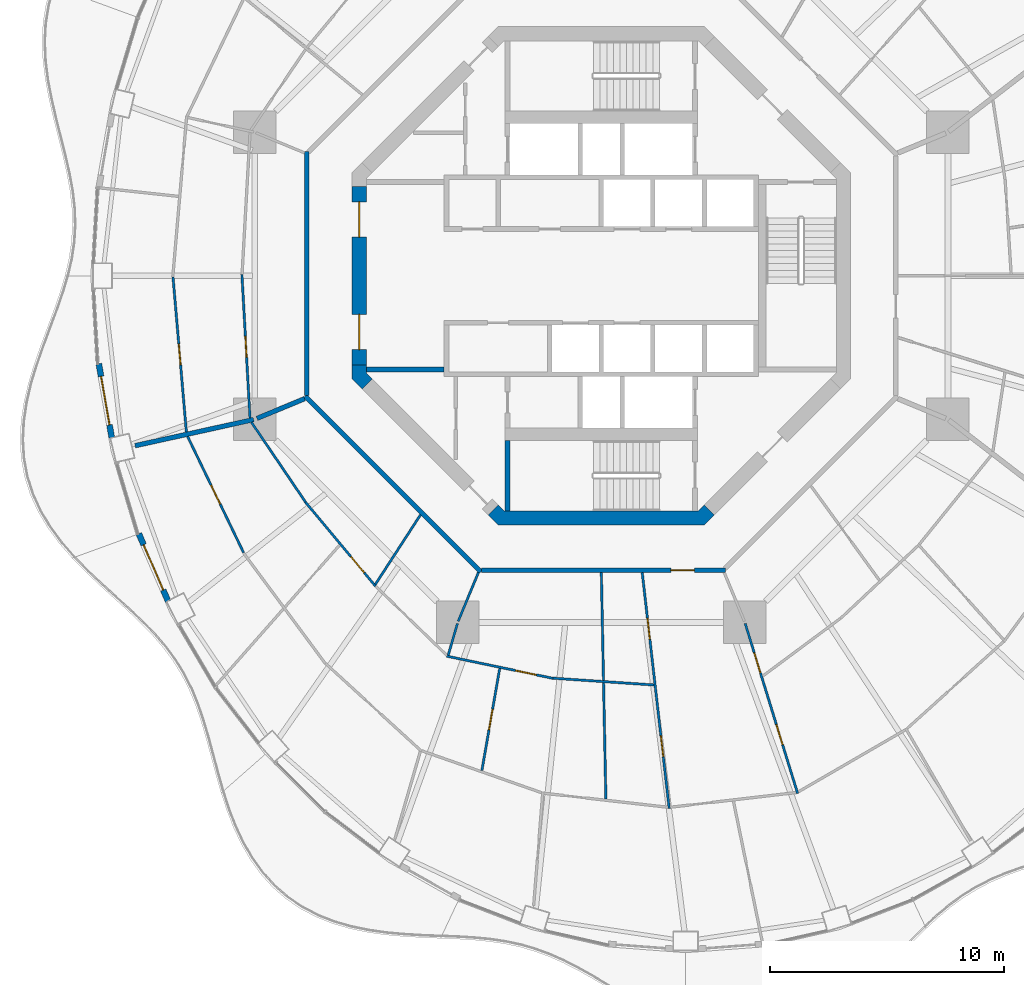
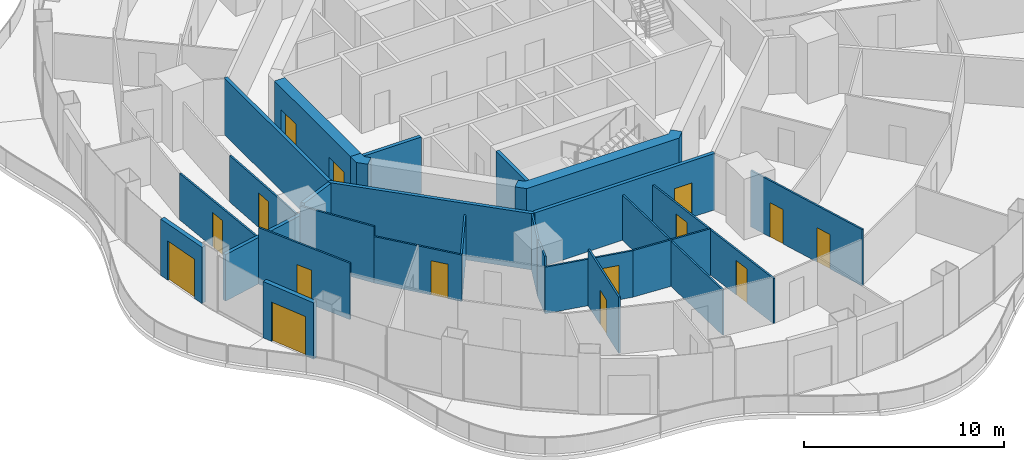
# One storey, part 11 of 19: 26 walls, 15 doors, 15 openings.
"""IFC4 building model written with IfcOpenShell, lengths in metres."""

from ifc_helpers import new_model, si_unit, direction, frame, frame_2d, origin, place, context, subcontext, project, spatial, polyline, rectangle, outline, extrude, material, layer, layer_set, type_object, element, fill, save


model = new_model("IFC4")

# Units and contexts
model_context = context("Model", 3, precision=1e-05, world=origin(), true_north=direction((0.0, 1.0)))
body_context = subcontext(model_context, "Body", "Model", "MODEL_VIEW")
ifc_project = project(units=[si_unit("LENGTHUNIT", "METRE"), si_unit("AREAUNIT", "SQUARE_METRE"), si_unit("VOLUMEUNIT", "CUBIC_METRE"), si_unit("PLANEANGLEUNIT", "RADIAN"), si_unit("MASSUNIT", "GRAM", prefix="KILO")], contexts=[model_context])

# Site, building, storey
site_placement = place(None, origin())
site = spatial("IfcSite", under=ifc_project, at=site_placement, CompositionType="ELEMENT")
building_placement = place(site_placement, origin())
building = spatial("IfcBuilding", under=site, at=building_placement, Name="Nagisa Residences", CompositionType="ELEMENT")
storey_placement = place(building_placement, frame((0.0, 0.0, 180.699951171875)))
storey = spatial("IfcBuildingStorey", under=building, at=storey_placement, Name="L45", CompositionType="ELEMENT", Elevation=180.699951171875)

# Walls
ifc_material_1 = material(Name="Gypsum board on steel studs", Category="steel")
ifc_layer_1 = layer(ifc_material_1, 0.199951171875)
ifc_layer_set_1 = layer_set([ifc_layer_1], Name="Apartment compartment wall EI60 200")
wall_type_1 = type_object("IfcWallType", Name="Apartment compartment wall EI60 200", PredefinedType="PARTITIONING", material=ifc_layer_set_1)
wall_1_placement = place(storey_placement, frame((-12.6572265625, -5.24267578125, 0.0), z_axis=(0.0, 0.0, 1.0), x_axis=(-0.923859888513, -0.38273085373, 0.0)))
element("IfcWall", 1, at=wall_1_placement, inside=storey, type_object=wall_type_1, Name="wall:L45:u04", PredefinedType="PARTITIONING", context=body_context, shape_type="SweptSolid", body=[
    extrude(rectangle(XDim=2.199462890625, YDim=0.199951171875, at=frame_2d((1.099609375, 0.0))), origin(), (0.0, 0.0, 1.0), 3.43994140625),
])
wall_2_placement = place(storey_placement, frame((-14.830810546875, -6.133544921875, 0.0), z_axis=(0.0, 0.0, 1.0), x_axis=(-0.976568396888, -0.215207263354, 0.0)))
element("IfcWall", 2, at=wall_2_placement, inside=storey, type_object=wall_type_1, Name="wall:L45:u05", PredefinedType="PARTITIONING", context=body_context, shape_type="SweptSolid", body=[
    extrude(rectangle(XDim=5.176513671875, YDim=0.199951171875, at=frame_2d((2.58837890625, 0.0))), origin(), (0.0, 0.0, 1.0), 2.837158203125),
])
ifc_material_2 = material(Name="Gypsum board on steel studs", Category="steel")
ifc_layer_2 = layer(ifc_material_2, 0.199951171875)
ifc_layer_set_2 = layer_set([ifc_layer_2], Name="Apartment entry wall EI60 200")
wall_type_2 = type_object("IfcWallType", Name="Apartment entry wall EI60 200", PredefinedType="PARTITIONING", material=ifc_layer_set_2)
wall_3_placement = place(storey_placement, frame((-12.564697265625, 5.304443359375, 0.0), z_axis=(0.0, 0.0, 1.0), x_axis=(0.0, -1.0, 0.0)))
element("IfcWall", 3, at=wall_3_placement, inside=storey, type_object=wall_type_2, Name="wall:L45:u12", PredefinedType="PARTITIONING", context=body_context, shape_type="SweptSolid", body=[
    extrude(rectangle(XDim=10.408935546875, YDim=0.199951171875, at=frame_2d((5.20458984375, 0.0))), origin(), (0.0, 0.0, 1.0), 3.43994140625),
])
wall_4_placement = place(storey_placement, frame((-12.635498046875, -5.1337890625, 0.0), z_axis=(0.0, 0.0, 1.0), x_axis=(0.707106781187, -0.707106781187, 0.0)))
element("IfcWall", 4, at=wall_4_placement, inside=storey, type_object=wall_type_2, Name="wall:L45:u13", PredefinedType="PARTITIONING", context=body_context, shape_type="SweptSolid", body=[
    extrude(rectangle(XDim=10.609130859375, YDim=0.199951171875, at=frame_2d((5.3046875, 0.0))), origin(), (0.0, 0.0, 1.0), 3.43994140625),
])

# Wall, opening, door
wall_5_placement = place(storey_placement, frame((-5.1044921875, -12.564697265625, 0.0), z_axis=(0.0, 0.0, 1.0), x_axis=(1.0, 0.0, 0.0)))
wall_5 = element("IfcWall", 5, at=wall_5_placement, inside=storey, type_object=wall_type_2, Name="wall:L45:u14", PredefinedType="PARTITIONING", context=body_context, shape_type="SweptSolid", body=[
    extrude(rectangle(XDim=10.408935546875, YDim=0.199951171875, at=frame_2d((5.20458984375, 0.0))), origin(), (0.0, 0.0, 1.0), 3.43994140625),
])
opening_1_placement = place(wall_5_placement, frame((8.07421875, 0.0, 0.0)))
opening_1 = element("IfcOpeningElement", 6, at=opening_1_placement, cuts=wall_5, Name="Opening L45-U17", PredefinedType="OPENING", context=body_context, shape_type="SweptSolid", body=[
    extrude(rectangle(XDim=1.0, YDim=2.10009765625, at=frame_2d((0.5, 1.050048828125))), frame((0.0, 0.10986328125, 0.0), z_axis=(0.0, -1.0, 0.0), x_axis=(1.0, 0.0, 0.0)), (0.0, 0.0, 1.0), 0.219970703125),
])
ifc_material_3 = material(Name="Timber fire door set", Category="wood")
door_type_1 = type_object("IfcDoorType", Name="Apartment entry door FD30S 1000x2100", OperationType="NOTDEFINED", PredefinedType="DOOR", material=ifc_material_3)
door_1_placement = place(opening_1_placement, frame((1.0, 0.0, 0.0), x_axis=(-1.0, 0.0, 0.0)))
door_1 = element("IfcDoor", 7, at=door_1_placement, inside=storey, type_object=door_type_1, Name="Entry door, Apartment 45B", OperationType="SINGLE_SWING_RIGHT", OverallHeight=2.10009765625, OverallWidth=1.0, PredefinedType="DOOR", context=body_context, shape_type="SweptSolid", body=[
    extrude(rectangle(XDim=1.0, YDim=2.10009765625, at=frame_2d((0.5, 1.050048828125))), frame((0.0, 0.02490234375, 0.0), z_axis=(0.0, -1.0, 0.0), x_axis=(1.0, 0.0, 0.0)), (0.0, 0.0, 1.0), 0.050048828125),
])
fill(opening_1, door_1)

ifc_material_4 = material(Name="Gypsum board on steel studs", Category="steel")
ifc_layer_3 = layer(ifc_material_4, 0.10009765625)
ifc_layer_set_3 = layer_set([ifc_layer_3], Name="Apartment partition 100")
wall_type_3 = type_object("IfcWallType", Name="Apartment partition 100", PredefinedType="PARTITIONING", material=ifc_layer_set_3)
wall_6_placement = place(storey_placement, frame((-15.33056640625, 0.0498046875, 0.0), z_axis=(0.0, 0.0, 1.0), x_axis=(0.056310939406, -0.998413280212, 0.0)))
wall_6 = element("IfcWall", 8, at=wall_6_placement, inside=storey, type_object=wall_type_3, Name="wall:L45:u54", PredefinedType="PARTITIONING", context=body_context, shape_type="SweptSolid", body=[
    extrude(rectangle(XDim=6.126220703125, YDim=0.10009765625, at=frame_2d((3.06298828125, 0.0))), origin(), (0.0, 0.0, 1.0), 2.837158203125),
])
opening_2_placement = place(wall_6_placement, frame((2.63818359375, 0.0, 0.0)))
opening_2 = element("IfcOpeningElement", 9, at=opening_2_placement, cuts=wall_6, Name="Opening L45-U16", PredefinedType="OPENING", context=body_context, shape_type="SweptSolid", body=[
    extrude(rectangle(XDim=0.89990234375, YDim=2.10009765625, at=frame_2d((0.449951171875, 1.050048828125))), frame((0.0, 0.06005859375, 0.0), z_axis=(0.0, -1.0, 0.0), x_axis=(1.0, 0.0, 0.0)), (0.0, 0.0, 1.0), 0.1201171875),
])
ifc_material_5 = material(Name="Timber door set", Category="wood")
door_type_2 = type_object("IfcDoorType", Name="Apartment door 900x2100", OperationType="NOTDEFINED", PredefinedType="DOOR", material=ifc_material_5)
door_2_placement = place(opening_2_placement, origin())
door_2 = element("IfcDoor", 10, at=door_2_placement, inside=storey, type_object=door_type_2, Name="Door to laundry, Apartment 45A", OperationType="SINGLE_SWING_RIGHT", OverallHeight=2.10009765625, OverallWidth=0.89990234375, PredefinedType="DOOR", context=body_context, shape_type="SweptSolid", body=[
    extrude(rectangle(XDim=0.89990234375, YDim=2.10009765625, at=frame_2d((0.449951171875, 1.050048828125))), frame((0.0, 0.02490234375, 0.0), z_axis=(0.0, -1.0, 0.0), x_axis=(1.0, 0.0, 0.0)), (0.0, 0.0, 1.0), 0.050048828125),
])
fill(opening_2, door_2)

wall_7_placement = place(storey_placement, frame((-18.270751953125, -0.0498046875, 0.0), z_axis=(0.0, 0.0, 1.0), x_axis=(0.086012321907, -0.996294073294, 0.0)))
wall_7 = element("IfcWall", 11, at=wall_7_placement, inside=storey, type_object=wall_type_3, Name="wall:L45:u55", PredefinedType="PARTITIONING", context=body_context, shape_type="SweptSolid", body=[
    extrude(rectangle(XDim=6.63916015625, YDim=0.10009765625, at=frame_2d((3.319580078125, 0.0))), origin(), (0.0, 0.0, 1.0), 2.837158203125),
])
opening_3_placement = place(wall_7_placement, frame((2.86962890625, 0.0, 0.0)))
opening_3 = element("IfcOpeningElement", 12, at=opening_3_placement, cuts=wall_7, Name="Opening L45-U13", PredefinedType="OPENING", context=body_context, shape_type="SweptSolid", body=[
    extrude(rectangle(XDim=0.89990234375, YDim=2.10009765625, at=frame_2d((0.449951171875, 1.050048828125))), frame((0.0, 0.06005859375, 0.0), z_axis=(0.0, -1.0, 0.0), x_axis=(1.0, 0.0, 0.0)), (0.0, 0.0, 1.0), 0.1201171875),
])
door_3_placement = place(opening_3_placement, frame((0.89990234375, 0.0, 0.0), x_axis=(-1.0, 0.0, 0.0)))
door_3 = element("IfcDoor", 13, at=door_3_placement, inside=storey, type_object=door_type_2, Name="Door to bedroom, Apartment 45A", OperationType="SINGLE_SWING_RIGHT", OverallHeight=2.10009765625, OverallWidth=0.89990234375, PredefinedType="DOOR", context=body_context, shape_type="SweptSolid", body=[
    extrude(rectangle(XDim=0.89990234375, YDim=2.10009765625, at=frame_2d((0.449951171875, 1.050048828125))), frame((0.0, 0.02490234375, 0.0), z_axis=(0.0, -1.0, 0.0), x_axis=(1.0, 0.0, 0.0)), (0.0, 0.0, 1.0), 0.050048828125),
])
fill(opening_3, door_3)

# Wall
wall_8_placement = place(storey_placement, frame((-14.923828125, -6.249267578125, 0.0), z_axis=(0.0, 0.0, 1.0), x_axis=(0.561046521684, -0.82778427172, 0.0)))
element("IfcWall", 14, at=wall_8_placement, inside=storey, type_object=wall_type_3, Name="wall:L45:u56", PredefinedType="PARTITIONING", context=body_context, shape_type="SweptSolid", body=[
    extrude(rectangle(XDim=4.108642578125, YDim=0.10009765625, at=frame_2d((2.05419921875, 0.0))), origin(), (0.0, 0.0, 1.0), 3.43994140625),
])

# Wall, opening, door
wall_9_placement = place(storey_placement, frame((-17.6474609375, -6.85400390625, 0.0), z_axis=(0.0, 0.0, 1.0), x_axis=(0.434027506504, -0.900899619046, 0.0)))
wall_9 = element("IfcWall", 15, at=wall_9_placement, inside=storey, type_object=wall_type_3, Name="wall:L45:u57", PredefinedType="PARTITIONING", context=body_context, shape_type="SweptSolid", body=[
    extrude(rectangle(XDim=5.508056640625, YDim=0.10009765625, at=frame_2d((2.75390625, 0.0))), origin(), (0.0, 0.0, 1.0), 3.43994140625),
])
opening_4_placement = place(wall_9_placement, frame((2.303955078125, 0.0, 0.0)))
opening_4 = element("IfcOpeningElement", 16, at=opening_4_placement, cuts=wall_9, Name="Opening L45-U35", PredefinedType="OPENING", context=body_context, shape_type="SweptSolid", body=[
    extrude(rectangle(XDim=0.89990234375, YDim=2.10009765625, at=frame_2d((0.449951171875, 1.050048828125))), frame((0.0, 0.06005859375, 0.0), z_axis=(0.0, -1.0, 0.0), x_axis=(1.0, 0.0, 0.0)), (0.0, 0.0, 1.0), 0.1201171875),
])
door_4_placement = place(opening_4_placement, frame((0.89990234375, 0.0, 0.0), x_axis=(-1.0, 0.0, 0.0)))
door_4 = element("IfcDoor", 17, at=door_4_placement, inside=storey, type_object=door_type_2, Name="Door to bedroom, Apartment 45B", OperationType="SINGLE_SWING_RIGHT", OverallHeight=2.10009765625, OverallWidth=0.89990234375, PredefinedType="DOOR", context=body_context, shape_type="SweptSolid", body=[
    extrude(rectangle(XDim=0.89990234375, YDim=2.10009765625, at=frame_2d((0.449951171875, 1.050048828125))), frame((0.0, 0.02490234375, 0.0), z_axis=(0.0, -1.0, 0.0), x_axis=(1.0, 0.0, 0.0)), (0.0, 0.0, 1.0), 0.050048828125),
])
fill(opening_4, door_4)

wall_10_placement = place(storey_placement, frame((-12.62255859375, -9.6533203125, 0.0), z_axis=(0.0, 0.0, 1.0), x_axis=(0.640297481347, -0.768127030758, 0.0)))
wall_10 = element("IfcWall", 18, at=wall_10_placement, inside=storey, type_object=wall_type_3, Name="wall:L45:u58", PredefinedType="PARTITIONING", context=body_context, shape_type="SweptSolid", body=[
    extrude(rectangle(XDim=4.671630859375, YDim=0.10009765625, at=frame_2d((2.3359375, 0.0))), origin(), (0.0, 0.0, 1.0), 2.837158203125),
])
opening_5_placement = place(wall_10_placement, frame((3.028564453125, 0.0, 0.0)))
opening_5 = element("IfcOpeningElement", 19, at=opening_5_placement, cuts=wall_10, Name="Opening L45-U32", PredefinedType="OPENING", context=body_context, shape_type="SweptSolid", body=[
    extrude(rectangle(XDim=0.89990234375, YDim=2.10009765625, at=frame_2d((0.449951171875, 1.050048828125))), frame((0.0, 0.06005859375, 0.0), z_axis=(0.0, -1.0, 0.0), x_axis=(1.0, 0.0, 0.0)), (0.0, 0.0, 1.0), 0.1201171875),
])
door_5_placement = place(opening_5_placement, origin())
door_5 = element("IfcDoor", 20, at=door_5_placement, inside=storey, type_object=door_type_2, Name="Door to store, Apartment 45B", OperationType="SINGLE_SWING_RIGHT", OverallHeight=2.10009765625, OverallWidth=0.89990234375, PredefinedType="DOOR", context=body_context, shape_type="SweptSolid", body=[
    extrude(rectangle(XDim=0.89990234375, YDim=2.10009765625, at=frame_2d((0.449951171875, 1.050048828125))), frame((0.0, 0.02490234375, 0.0), z_axis=(0.0, -1.0, 0.0), x_axis=(1.0, 0.0, 0.0)), (0.0, 0.0, 1.0), 0.050048828125),
])
fill(opening_5, door_5)

# Walls
wall_11_placement = place(storey_placement, frame((-7.71240234375, -10.1953125, 0.0), z_axis=(0.0, 0.0, 1.0), x_axis=(-0.544170086001, -0.838974920663, 0.0)))
element("IfcWall", 21, at=wall_11_placement, inside=storey, type_object=wall_type_3, Name="wall:L45:u61", PredefinedType="PARTITIONING", context=body_context, shape_type="SweptSolid", body=[
    extrude(rectangle(XDim=3.535400390625, YDim=0.10009765625, at=frame_2d((1.767578125, 0.0))), origin(), (0.0, 0.0, 1.0), 2.756103515625),
])
wall_12_placement = place(storey_placement, frame((-5.24267578125, -12.6572265625, 0.0), z_axis=(0.0, 0.0, 1.0), x_axis=(-0.382719158442, -0.923864733477, 0.0)))
element("IfcWall", 22, at=wall_12_placement, inside=storey, type_object=wall_type_3, Name="wall:L45:u64", PredefinedType="PARTITIONING", context=body_context, shape_type="SweptSolid", body=[
    extrude(rectangle(XDim=2.25, YDim=0.10009765625, at=frame_2d((1.125, 0.0))), origin(), (0.0, 0.0, 1.0), 3.43994140625),
])
wall_13_placement = place(storey_placement, frame((-6.136962890625, -14.83056640625, 0.0), z_axis=(0.0, 0.0, 1.0), x_axis=(-0.2785069197, -0.960434222464, 0.0)))
element("IfcWall", 23, at=wall_13_placement, inside=storey, type_object=wall_type_3, Name="wall:L45:u65", PredefinedType="PARTITIONING", context=body_context, shape_type="SweptSolid", body=[
    extrude(rectangle(XDim=1.4130859375, YDim=0.10009765625, at=frame_2d((0.70654296875, 0.0))), origin(), (0.0, 0.0, 1.0), 3.43994140625),
])

# Wall, opening, door
wall_14_placement = place(storey_placement, frame((-6.593505859375, -16.2255859375, 0.0), z_axis=(0.0, 0.0, 1.0), x_axis=(0.978899284405, -0.204343316484, 0.0)))
wall_14 = element("IfcWall", 24, at=wall_14_placement, inside=storey, type_object=wall_type_3, Name="wall:L45:u66", PredefinedType="PARTITIONING", context=body_context, shape_type="SweptSolid", body=[
    extrude(rectangle(XDim=4.6357421875, YDim=0.10009765625, at=frame_2d((2.31787109375, 0.0))), origin(), (0.0, 0.0, 1.0), 2.837158203125),
])
opening_6_placement = place(wall_14_placement, frame((3.001708984375, 0.0, 0.0)))
opening_6 = element("IfcOpeningElement", 25, at=opening_6_placement, cuts=wall_14, Name="Opening L45-U29", PredefinedType="OPENING", context=body_context, shape_type="SweptSolid", body=[
    extrude(rectangle(XDim=0.89990234375, YDim=2.10009765625, at=frame_2d((0.449951171875, 1.050048828125))), frame((0.0, 0.06005859375, 0.0), z_axis=(0.0, -1.0, 0.0), x_axis=(1.0, 0.0, 0.0)), (0.0, 0.0, 1.0), 0.1201171875),
])
door_6_placement = place(opening_6_placement, origin())
door_6 = element("IfcDoor", 26, at=door_6_placement, inside=storey, type_object=door_type_2, Name="Door to store, Apartment 45B", OperationType="SINGLE_SWING_LEFT", OverallHeight=2.10009765625, OverallWidth=0.89990234375, PredefinedType="DOOR", context=body_context, shape_type="SweptSolid", body=[
    extrude(rectangle(XDim=0.89990234375, YDim=2.10009765625, at=frame_2d((0.449951171875, 1.050048828125))), frame((0.0, 0.02490234375, 0.0), z_axis=(0.0, -1.0, 0.0), x_axis=(1.0, 0.0, 0.0)), (0.0, 0.0, 1.0), 0.050048828125),
])
fill(opening_6, door_6)

wall_15_placement = place(storey_placement, frame((-4.333251953125, -16.74853515625, 0.0), z_axis=(0.0, 0.0, 1.0), x_axis=(-0.172053721569, -0.985087568135, 0.0)))
wall_15 = element("IfcWall", 27, at=wall_15_placement, inside=storey, type_object=wall_type_3, Name="wall:L45:u69", PredefinedType="PARTITIONING", context=body_context, shape_type="SweptSolid", body=[
    extrude(rectangle(XDim=4.42431640625, YDim=0.10009765625, at=frame_2d((2.212158203125, 0.0))), origin(), (0.0, 0.0, 1.0), 3.43994140625),
])
opening_7_placement = place(wall_15_placement, frame((1.76220703125, 0.0, 0.0)))
opening_7 = element("IfcOpeningElement", 28, at=opening_7_placement, cuts=wall_15, Name="Opening L45-U30", PredefinedType="OPENING", context=body_context, shape_type="SweptSolid", body=[
    extrude(rectangle(XDim=0.89990234375, YDim=2.10009765625, at=frame_2d((0.449951171875, 1.050048828125))), frame((0.0, 0.06005859375, 0.0), z_axis=(0.0, -1.0, 0.0), x_axis=(1.0, 0.0, 0.0)), (0.0, 0.0, 1.0), 0.1201171875),
])
door_7_placement = place(opening_7_placement, frame((0.89990234375, 0.0, 0.0), x_axis=(-1.0, 0.0, 0.0)))
door_7 = element("IfcDoor", 29, at=door_7_placement, inside=storey, type_object=door_type_2, Name="Door to kitchen, Apartment 45B", OperationType="SINGLE_SWING_LEFT", OverallHeight=2.10009765625, OverallWidth=0.89990234375, PredefinedType="DOOR", context=body_context, shape_type="SweptSolid", body=[
    extrude(rectangle(XDim=0.89990234375, YDim=2.10009765625, at=frame_2d((0.449951171875, 1.050048828125))), frame((0.0, 0.02490234375, 0.0), z_axis=(0.0, -1.0, 0.0), x_axis=(1.0, 0.0, 0.0)), (0.0, 0.0, 1.0), 0.050048828125),
])
fill(opening_7, door_7)

# Walls
wall_16_placement = place(storey_placement, frame((-2.0546875, -17.166015625, 0.0), z_axis=(0.0, 0.0, 1.0), x_axis=(0.997754717554, -0.066974051687, 0.0)))
element("IfcWall", 30, at=wall_16_placement, inside=storey, type_object=wall_type_3, Name="wall:L45:u70", PredefinedType="PARTITIONING", context=body_context, shape_type="SweptSolid", body=[
    extrude(rectangle(XDim=4.308837890625, YDim=0.10009765625, at=frame_2d((2.154296875, 0.0))), origin(), (0.0, 0.0, 1.0), 2.837158203125),
])
wall_17_placement = place(storey_placement, frame((0.001953125, -12.664794921875, 0.0), z_axis=(0.0, 0.0, 1.0), x_axis=(0.019992969345, -0.999800120613, 0.0)))
element("IfcWall", 31, at=wall_17_placement, inside=storey, type_object=wall_type_3, Name="wall:L45:u73", PredefinedType="PARTITIONING", context=body_context, shape_type="SweptSolid", body=[
    extrude(rectangle(XDim=9.6591796875, YDim=0.10009765625, at=frame_2d((4.82958984375, 0.0))), origin(), (0.0, 0.0, 1.0), 2.756103515625),
])

# Wall, openings, doors
wall_18_placement = place(storey_placement, frame((1.74609375, -12.6640625, 0.0), z_axis=(0.0, 0.0, 1.0), x_axis=(0.113629529561, -0.993523190475, 0.0)))
wall_18 = element("IfcWall", 32, at=wall_18_placement, inside=storey, type_object=wall_type_3, Name="wall:L45:u74", PredefinedType="PARTITIONING", context=body_context, shape_type="SweptSolid", body=[
    extrude(rectangle(XDim=10.12841796875, YDim=0.10009765625, at=frame_2d((5.064208984375, 0.0))), origin(), (0.0, 0.0, 1.0), 2.756103515625),
])
opening_8_placement = place(wall_18_placement, frame((1.96240234375, 0.0, 0.0)))
opening_8 = element("IfcOpeningElement", 33, at=opening_8_placement, cuts=wall_18, Name="Opening L45-U18", PredefinedType="OPENING", context=body_context, shape_type="SweptSolid", body=[
    extrude(rectangle(XDim=0.89990234375, YDim=2.10009765625, at=frame_2d((0.449951171875, 1.050048828125))), frame((0.0, 0.06005859375, 0.0), z_axis=(0.0, -1.0, 0.0), x_axis=(1.0, 0.0, 0.0)), (0.0, 0.0, 1.0), 0.1201171875),
])
opening_9_placement = place(wall_18_placement, frame((7.001708984375, 0.0, 0.0)))
opening_9 = element("IfcOpeningElement", 34, at=opening_9_placement, cuts=wall_18, Name="Opening L45-U21", PredefinedType="OPENING", context=body_context, shape_type="SweptSolid", body=[
    extrude(rectangle(XDim=0.89990234375, YDim=2.10009765625, at=frame_2d((0.449951171875, 1.050048828125))), frame((0.0, 0.06005859375, 0.0), z_axis=(0.0, -1.0, 0.0), x_axis=(1.0, 0.0, 0.0)), (0.0, 0.0, 1.0), 0.1201171875),
])
door_8_placement = place(opening_8_placement, frame((0.89990234375, 0.0, 0.0), x_axis=(-1.0, 0.0, 0.0)))
door_8 = element("IfcDoor", 35, at=door_8_placement, inside=storey, type_object=door_type_2, Name="Door to family bathroom, Apartment 45B", OperationType="SINGLE_SWING_LEFT", OverallHeight=2.10009765625, OverallWidth=0.89990234375, PredefinedType="DOOR", context=body_context, shape_type="SweptSolid", body=[
    extrude(rectangle(XDim=0.89990234375, YDim=2.10009765625, at=frame_2d((0.449951171875, 1.050048828125))), frame((0.0, 0.02490234375, 0.0), z_axis=(0.0, -1.0, 0.0), x_axis=(1.0, 0.0, 0.0)), (0.0, 0.0, 1.0), 0.050048828125),
])
fill(opening_8, door_8)
door_9_placement = place(opening_9_placement, frame((0.89990234375, 0.0, 0.0), x_axis=(-1.0, 0.0, 0.0)))
door_9 = element("IfcDoor", 36, at=door_9_placement, inside=storey, type_object=door_type_2, Name="Door to family bathroom, Apartment 45B", OperationType="SINGLE_SWING_RIGHT", OverallHeight=2.10009765625, OverallWidth=0.89990234375, PredefinedType="DOOR", context=body_context, shape_type="SweptSolid", body=[
    extrude(rectangle(XDim=0.89990234375, YDim=2.10009765625, at=frame_2d((0.449951171875, 1.050048828125))), frame((0.0, 0.02490234375, 0.0), z_axis=(0.0, -1.0, 0.0), x_axis=(1.0, 0.0, 0.0)), (0.0, 0.0, 1.0), 0.050048828125),
])
fill(opening_9, door_9)

wall_19_placement = place(storey_placement, frame((6.1376953125, -14.829833984375, 0.0), z_axis=(0.0, 0.0, 1.0), x_axis=(0.294822274121, -0.955552105687, 0.0)))
wall_19 = element("IfcWall", 37, at=wall_19_placement, inside=storey, type_object=wall_type_3, Name="wall:L45:u78", PredefinedType="PARTITIONING", context=body_context, shape_type="SweptSolid", body=[
    extrude(rectangle(XDim=7.593505859375, YDim=0.10009765625, at=frame_2d((3.796875, 0.0))), origin(), (0.0, 0.0, 1.0), 3.43994140625),
])
opening_10_placement = place(wall_19_placement, frame((1.3056640625, 0.0, 0.0)))
opening_10 = element("IfcOpeningElement", 38, at=opening_10_placement, cuts=wall_19, Name="Opening L45-U19", PredefinedType="OPENING", context=body_context, shape_type="SweptSolid", body=[
    extrude(rectangle(XDim=0.89990234375, YDim=2.10009765625, at=frame_2d((0.449951171875, 1.050048828125))), frame((0.0, 0.06005859375, 0.0), z_axis=(0.0, -1.0, 0.0), x_axis=(1.0, 0.0, 0.0)), (0.0, 0.0, 1.0), 0.1201171875),
])
opening_11_placement = place(wall_19_placement, frame((4.5146484375, 0.0, 0.0)))
opening_11 = element("IfcOpeningElement", 39, at=opening_11_placement, cuts=wall_19, Name="Opening L45-U22", PredefinedType="OPENING", context=body_context, shape_type="SweptSolid", body=[
    extrude(rectangle(XDim=0.89990234375, YDim=2.10009765625, at=frame_2d((0.449951171875, 1.050048828125))), frame((0.0, 0.06005859375, 0.0), z_axis=(0.0, -1.0, 0.0), x_axis=(1.0, 0.0, 0.0)), (0.0, 0.0, 1.0), 0.1201171875),
])
door_10_placement = place(opening_10_placement, origin())
door_10 = element("IfcDoor", 40, at=door_10_placement, inside=storey, type_object=door_type_2, Name="Door to laundry, Apartment 45B", OperationType="SINGLE_SWING_LEFT", OverallHeight=2.10009765625, OverallWidth=0.89990234375, PredefinedType="DOOR", context=body_context, shape_type="SweptSolid", body=[
    extrude(rectangle(XDim=0.89990234375, YDim=2.10009765625, at=frame_2d((0.449951171875, 1.050048828125))), frame((0.0, 0.02490234375, 0.0), z_axis=(0.0, -1.0, 0.0), x_axis=(1.0, 0.0, 0.0)), (0.0, 0.0, 1.0), 0.050048828125),
])
fill(opening_10, door_10)
door_11_placement = place(opening_11_placement, origin())
door_11 = element("IfcDoor", 41, at=door_11_placement, inside=storey, type_object=door_type_2, Name="Door to dining room, Apartment 45B", OperationType="SINGLE_SWING_RIGHT", OverallHeight=2.10009765625, OverallWidth=0.89990234375, PredefinedType="DOOR", context=body_context, shape_type="SweptSolid", body=[
    extrude(rectangle(XDim=0.89990234375, YDim=2.10009765625, at=frame_2d((0.449951171875, 1.050048828125))), frame((0.0, 0.02490234375, 0.0), z_axis=(0.0, -1.0, 0.0), x_axis=(1.0, 0.0, 0.0)), (0.0, 0.0, 1.0), 0.050048828125),
])
fill(opening_11, door_11)

# Wall, opening, door
ifc_material_6 = material(Name="Precast concrete C40/50", Category="concrete")
ifc_layer_4 = layer(ifc_material_6, 0.25)
ifc_layer_set_4 = layer_set([ifc_layer_4], Name="BALCONY DOOR WALL 250")
wall_type_4 = type_object("IfcWallType", Name="BALCONY DOOR WALL 250", PredefinedType="SOLIDWALL", material=ifc_layer_set_4)
wall_20_placement = place(storey_placement, frame((-20.8818359375, -6.91015625, 0.0), z_axis=(0.0, 0.0, 1.0), x_axis=(-0.172223552479, 0.98505789067, 0.0)))
wall_20 = element("IfcWall", 42, at=wall_20_placement, inside=storey, type_object=wall_type_4, Name="wall:L45:bay25", PredefinedType="SOLIDWALL", context=body_context, shape_type="SweptSolid", body=[
    extrude(rectangle(XDim=3.2109375, YDim=0.25, at=frame_2d((1.60546875, 0.0))), origin(), (0.0, 0.0, 1.0), 3.43994140625),
])
opening_12_placement = place(wall_20_placement, frame((0.555419921875, 0.0, 0.0)))
opening_12 = element("IfcOpeningElement", 43, at=opening_12_placement, cuts=wall_20, Name="Opening BD-L45-09", PredefinedType="OPENING", context=body_context, shape_type="SweptSolid", body=[
    extrude(rectangle(XDim=2.10009765625, YDim=2.39990234375, at=frame_2d((1.050048828125, 1.199951171875))), frame((0.0, 0.135009765625, 0.0), z_axis=(0.0, -1.0, 0.0), x_axis=(1.0, 0.0, 0.0)), (0.0, 0.0, 1.0), 0.27001953125),
])
ifc_material_7 = material(Name="Aluminium and clear glass", Category="aluminium")
door_type_3 = type_object("IfcDoorType", Name="BALCONY SLIDING DOOR 2100x2400", OperationType="SLIDING_TO_LEFT", PredefinedType="DOOR", material=ifc_material_7)
door_12_placement = place(opening_12_placement, origin())
door_12 = element("IfcDoor", 44, at=door_12_placement, inside=storey, type_object=door_type_3, Name="door:L45:bay25", OperationType="SLIDING_TO_LEFT", OverallHeight=2.39990234375, OverallWidth=2.10009765625, PredefinedType="DOOR", context=body_context, shape_type="SweptSolid", body=[
    extrude(rectangle(XDim=2.10009765625, YDim=2.39990234375, at=frame_2d((1.050048828125, 1.199951171875))), frame((0.0, 0.02490234375, 0.0), z_axis=(0.0, -1.0, 0.0), x_axis=(1.0, 0.0, 0.0)), (0.0, 0.0, 1.0), 0.050048828125),
])
fill(opening_12, door_12)

wall_21_placement = place(storey_placement, frame((-18.4794921875, -13.883056640625, 0.0), z_axis=(0.0, 0.0, 1.0), x_axis=(-0.397620521824, 0.917549955384, 0.0)))
wall_21 = element("IfcWall", 45, at=wall_21_placement, inside=storey, type_object=wall_type_4, Name="wall:L45:bay27", PredefinedType="SOLIDWALL", context=body_context, shape_type="SweptSolid", body=[
    extrude(rectangle(XDim=3.141845703125, YDim=0.25, at=frame_2d((1.57080078125, 0.0))), origin(), (0.0, 0.0, 1.0), 3.43994140625),
])
opening_13_placement = place(wall_21_placement, frame((0.52099609375, 0.0, 0.0)))
opening_13 = element("IfcOpeningElement", 46, at=opening_13_placement, cuts=wall_21, Name="Opening BD-L45-10", PredefinedType="OPENING", context=body_context, shape_type="SweptSolid", body=[
    extrude(rectangle(XDim=2.10009765625, YDim=2.39990234375, at=frame_2d((1.050048828125, 1.199951171875))), frame((0.0, 0.135009765625, 0.0), z_axis=(0.0, -1.0, 0.0), x_axis=(1.0, 0.0, 0.0)), (0.0, 0.0, 1.0), 0.27001953125),
])
door_13_placement = place(opening_13_placement, origin())
door_13 = element("IfcDoor", 47, at=door_13_placement, inside=storey, type_object=door_type_3, Name="door:L45:bay27", OperationType="SLIDING_TO_LEFT", OverallHeight=2.39990234375, OverallWidth=2.10009765625, PredefinedType="DOOR", context=body_context, shape_type="SweptSolid", body=[
    extrude(rectangle(XDim=2.10009765625, YDim=2.39990234375, at=frame_2d((1.050048828125, 1.199951171875))), frame((0.0, 0.02490234375, 0.0), z_axis=(0.0, -1.0, 0.0), x_axis=(1.0, 0.0, 0.0)), (0.0, 0.0, 1.0), 0.050048828125),
])
fill(opening_13, door_13)

# Wall
ifc_material_8 = material(Name="Gypsum board on steel studs", Category="steel")
ifc_layer_5 = layer(ifc_material_8, 0.199951171875)
ifc_layer_set_5 = layer_set([ifc_layer_5], Name="Core partition 200")
wall_type_5 = type_object("IfcWallType", Name="Core partition 200", PredefinedType="PARTITIONING", material=ifc_layer_set_5)
wall_22_placement = place(storey_placement, frame((-10.024658203125, -4.0, 0.0), z_axis=(0.0, 0.0, 1.0), x_axis=(1.0, 0.0, 0.0)))
element("IfcWall", 48, at=wall_22_placement, inside=storey, type_object=wall_type_5, Name="wall:L45:PSW", PredefinedType="PARTITIONING", context=body_context, shape_type="SweptSolid", body=[
    extrude(rectangle(XDim=3.32470703125, YDim=0.199951171875, at=frame_2d((1.662353515625, 0.0))), origin(), (0.0, 0.0, 1.0), 3.43994140625),
])

# Wall, openings, doors
ifc_material_9 = material(Name="Concrete C60", Category="concrete")
ifc_layer_6 = layer(ifc_material_9, 0.60009765625)
ifc_layer_set_6 = layer_set([ifc_layer_6], Name="Core shear wall 600")
wall_type_6 = type_object("IfcWallType", Name="Core shear wall 600", PredefinedType="SHEAR", material=ifc_layer_set_6)
wall_23_placement = place(storey_placement, frame((-10.32470703125, 3.80078125, 0.0), z_axis=(0.0, 0.0, 1.0), x_axis=(0.0, -1.0, 0.0)))
wall_23 = element("IfcWall", 49, at=wall_23_placement, inside=storey, type_object=wall_type_6, Name="wall:L45:core:flat4", PredefinedType="SHEAR", context=body_context, shape_type="SweptSolid", body=[
    extrude(rectangle(XDim=7.6015625, YDim=0.60009765625, at=frame_2d((3.80078125, 0.0))), origin(), (0.0, 0.0, 1.0), 3.43994140625),
])
opening_14_placement = place(wall_23_placement, frame((0.65087890625, 0.0, 0.0)))
opening_14 = element("IfcOpeningElement", 50, at=opening_14_placement, cuts=wall_23, Name="Opening L45-C20", PredefinedType="OPENING", context=body_context, shape_type="SweptSolid", body=[
    extrude(rectangle(XDim=1.5, YDim=2.10009765625, at=frame_2d((0.75, 1.050048828125))), frame((0.0, 0.31005859375, 0.0), z_axis=(0.0, -1.0, 0.0), x_axis=(1.0, 0.0, 0.0)), (0.0, 0.0, 1.0), 0.6201171875),
])
opening_15_placement = place(wall_23_placement, frame((5.450927734375, 0.0, 0.0)))
opening_15 = element("IfcOpeningElement", 51, at=opening_15_placement, cuts=wall_23, Name="Opening L45-C21", PredefinedType="OPENING", context=body_context, shape_type="SweptSolid", body=[
    extrude(rectangle(XDim=1.5, YDim=2.10009765625, at=frame_2d((0.75, 1.050048828125))), frame((0.0, 0.31005859375, 0.0), z_axis=(0.0, -1.0, 0.0), x_axis=(1.0, 0.0, 0.0)), (0.0, 0.0, 1.0), 0.6201171875),
])
ifc_material_10 = material(Name="Steel fire door", Category="steel")
door_type_4 = type_object("IfcDoorType", Name="Fire door EI60 1500x2100 double door single swing", OperationType="DOUBLE_DOOR_SINGLE_SWING", PredefinedType="DOOR", material=ifc_material_10)
door_14_placement = place(opening_14_placement, origin())
door_14 = element("IfcDoor", 52, at=door_14_placement, inside=storey, type_object=door_type_4, Name="Lift lobby door L45 1", OperationType="DOUBLE_DOOR_SINGLE_SWING", OverallHeight=2.10009765625, OverallWidth=1.5, PredefinedType="DOOR", context=body_context, shape_type="SweptSolid", body=[
    extrude(rectangle(XDim=1.5, YDim=2.10009765625, at=frame_2d((0.75, 1.050048828125))), frame((0.0, 0.02490234375, 0.0), z_axis=(0.0, -1.0, 0.0), x_axis=(1.0, 0.0, 0.0)), (0.0, 0.0, 1.0), 0.050048828125),
])
fill(opening_14, door_14)
door_15_placement = place(opening_15_placement, origin())
door_15 = element("IfcDoor", 53, at=door_15_placement, inside=storey, type_object=door_type_4, Name="Lift lobby door L45 2", OperationType="DOUBLE_DOOR_SINGLE_SWING", OverallHeight=2.10009765625, OverallWidth=1.5, PredefinedType="DOOR", context=body_context, shape_type="SweptSolid", body=[
    extrude(rectangle(XDim=1.5, YDim=2.10009765625, at=frame_2d((0.75, 1.050048828125))), frame((0.0, 0.02490234375, 0.0), z_axis=(0.0, -1.0, 0.0), x_axis=(1.0, 0.0, 0.0)), (0.0, 0.0, 1.0), 0.050048828125),
])
fill(opening_15, door_15)

# Walls
wall_24_placement = place(storey_placement, origin())
element("IfcWall", 54, at=wall_24_placement, inside=storey, type_object=wall_type_6, Name="wall:L45:core:pier4", PredefinedType="SHEAR", context=body_context, shape_type="SweptSolid", body=[
    extrude(outline(polyline([(-10.62451171875, -3.80078125), (-10.024658203125, -3.80078125), (-10.024658203125, -4.15234375), (-9.776123046875, -4.40087890625), (-10.200439453125, -4.8251953125), (-10.62451171875, -4.40087890625), (-10.62451171875, -3.80078125)])), origin(), (0.0, 0.0, 1.0), 3.43994140625),
])
wall_25_placement = place(storey_placement, origin())
element("IfcWall", 55, at=wall_25_placement, inside=storey, type_object=wall_type_6, Name="wall:L45:core:flat6", PredefinedType="SHEAR", context=body_context, shape_type="SweptSolid", body=[
    extrude(outline(polyline([(-4.15234375, -10.024658203125), (4.15234375, -10.024658203125), (4.40087890625, -9.776123046875), (4.8251953125, -10.200439453125), (4.40087890625, -10.62451171875), (-4.40087890625, -10.62451171875), (-4.8251953125, -10.200439453125), (-4.40087890625, -9.776123046875), (-4.15234375, -10.024658203125)])), origin(), (0.0, 0.0, 1.0), 3.43994140625),
])
ifc_material_11 = material(Name="Concrete C60", Category="concrete")
ifc_layer_7 = layer(ifc_material_11, 0.199951171875)
ifc_layer_set_7 = layer_set([ifc_layer_7], Name="Stair enclosure wall 200")
wall_type_7 = type_object("IfcWallType", Name="Stair enclosure wall 200", PredefinedType="SOLIDWALL", material=ifc_layer_set_7)
wall_26_placement = place(storey_placement, origin())
element("IfcWall", 56, at=wall_26_placement, inside=storey, type_object=wall_type_7, Name="wall:L45:SS_w", PredefinedType="SOLIDWALL", context=body_context, shape_type="SweptSolid", body=[
    extrude(outline(polyline([(-3.89990234375, -10.024658203125), (-4.10009765625, -10.024658203125), (-4.10009765625, -7.024658203125), (-3.89990234375, -7.024658203125), (-3.89990234375, -10.024658203125)])), origin(), (0.0, 0.0, 1.0), 3.43994140625),
])

save(model, "model.ifc")
